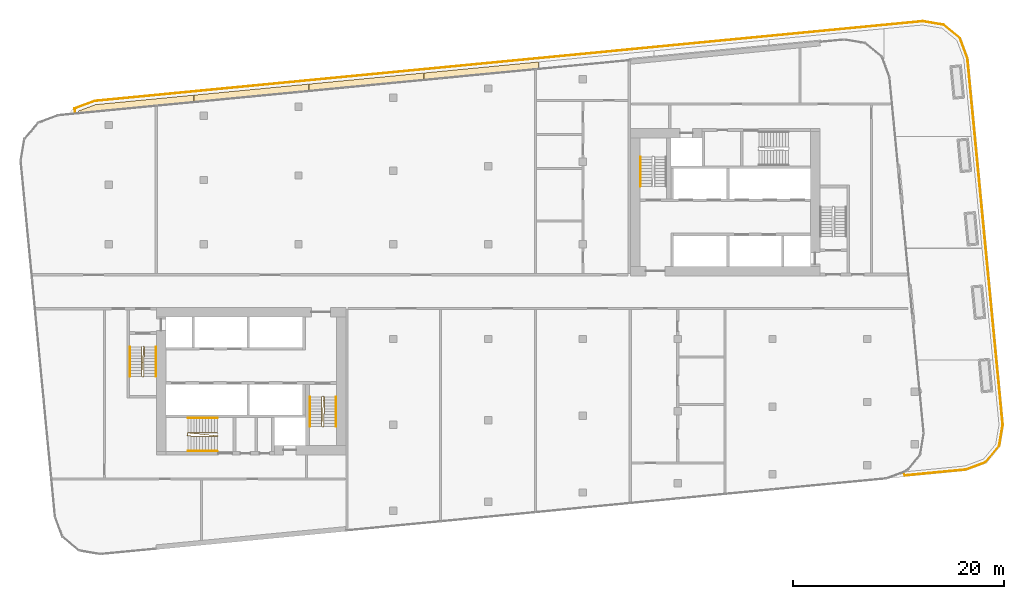
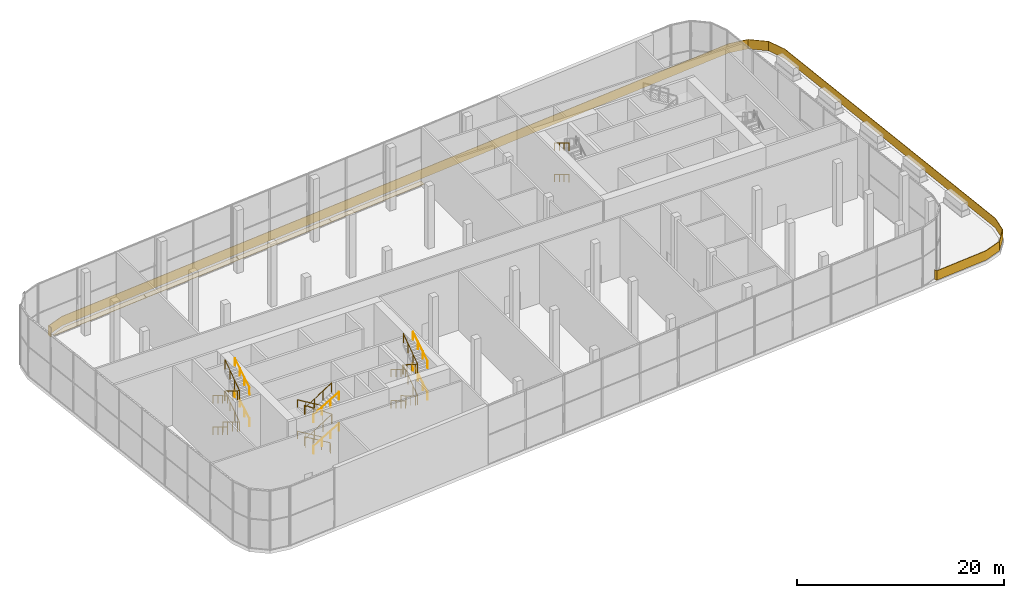
# One storey, part 23 of 25: 18 railings, 4 coverings.
"""IFC4 building model written with IfcOpenShell, lengths in metres."""

from ifc_helpers import new_model, si_unit, direction, frame, origin, origin_2d, place, context, subcontext, project, spatial, polyline, circle, outline, extrude, material, layer, layer_set, type_object, element, save


model = new_model("IFC4")

# Units and contexts
model_context = context("Model", 3, precision=1e-05, world=origin(), true_north=direction((0.0, 1.0)))
body_context = subcontext(model_context, "Body", "Model", "MODEL_VIEW")
ifc_project = project(units=[si_unit("LENGTHUNIT", "METRE"), si_unit("AREAUNIT", "SQUARE_METRE"), si_unit("VOLUMEUNIT", "CUBIC_METRE"), si_unit("PLANEANGLEUNIT", "RADIAN"), si_unit("MASSUNIT", "GRAM", prefix="KILO")], contexts=[model_context])

# Site, building, storey
site_placement = place(None, origin())
site = spatial("IfcSite", under=ifc_project, at=site_placement, CompositionType="ELEMENT")
building_placement = place(site_placement, origin())
building = spatial("IfcBuilding", under=site, at=building_placement, Name="Kajstack Hotel Tower", CompositionType="ELEMENT")
storey_placement = place(building_placement, frame((0.0, 0.0, 155.0)))
storey = spatial("IfcBuildingStorey", under=building, at=storey_placement, Name="L36", CompositionType="ELEMENT", Elevation=155.0)

# Railing
ifc_material_1 = material(Name="Steel S355J2", Category="steel")
railing_type_1 = type_object("IfcRailingType", Name="BALUSTRADE-TERRACE", PredefinedType="BALUSTRADE", material=ifc_material_1)
railing_1_placement = place(storey_placement, frame((-39.20556640625, 16.966552734375, 0.0)))
element("IfcRailing", 1, at=railing_1_placement, inside=storey, type_object=railing_type_1, Name="Terrace guard L36-01-01", PredefinedType="BALUSTRADE", context=body_context, shape_type="SweptSolid", body=[
    extrude(outline(polyline([(-0.072509765625, 0.4423828125), (1.84716796875, 1.16015625), (80.4599609375, 8.729736328125), (82.466552734375, 8.39404296875), (84.027099609375, 7.107666015625), (84.739501953125, 5.201904296875), (88.091796875, -29.613525390625), (87.756103515625, -31.620361328125), (86.4697265625, -33.180908203125), (84.56396484375, -33.893310546875), (78.743896484375, -34.45361328125), (78.64111328125, -34.17919921875), (78.697265625, -34.158203125), (78.783935546875, -34.3896484375), (84.55029296875, -33.834228515625), (86.43359375, -33.130126953125), (87.699462890625, -31.594482421875), (88.03125, -29.611572265625), (84.680419921875, 5.188232421875), (83.976318359375, 7.071533203125), (82.440673828125, 8.33740234375), (80.4580078125, 8.669189453125), (1.86083984375, 1.10107421875), (-0.008544921875, 0.40234375), (0.02978515625, 0.0029296875), (-0.02978515625, -0.0029296875), (-0.072509765625, 0.4423828125)])), origin(), (0.0, 0.0, 1.0), 1.10009765625),
])

# Coverings
ifc_material_2 = material(Name="Timber larch", Category="wood")
ifc_layer = layer(ifc_material_2, 0.050048828125)
ifc_layer_set = layer_set([ifc_layer], Name="DECK-LARCH")
covering_type = type_object("IfcCoveringType", Name="DECK-LARCH", PredefinedType="FLOORING", material=ifc_layer_set)
covering_1_placement = place(storey_placement, origin())
element("IfcCovering", 2, at=covering_1_placement, inside=storey, type_object=covering_type, Name="Larch decking L36-01-01", PredefinedType="FLOORING", context=body_context, shape_type="SweptSolid", body=[
    extrude(outline(polyline([(-27.960205078125, 18.04931640625), (-27.960205078125, 18.64990234375), (-37.272216796875, 17.753173828125), (-38.862060546875, 17.158935546875), (-38.862060546875, 17.05126953125), (-38.857177734375, 17.000244140625), (-27.960205078125, 18.04931640625)])), origin(), (0.0, 0.0, 1.0), 0.050048828125),
])
covering_2_placement = place(storey_placement, origin())
element("IfcCovering", 3, at=covering_2_placement, inside=storey, type_object=covering_type, Name="Larch decking L36-01-02", PredefinedType="FLOORING", context=body_context, shape_type="SweptSolid", body=[
    extrude(outline(polyline([(-17.038330078125, 19.10107421875), (-17.038330078125, 19.701416015625), (-27.940185546875, 18.65185546875), (-27.940185546875, 18.05126953125), (-17.038330078125, 19.10107421875)])), origin(), (0.0, 0.0, 1.0), 0.050048828125),
])
covering_3_placement = place(storey_placement, origin())
element("IfcCovering", 4, at=covering_3_placement, inside=storey, type_object=covering_type, Name="Larch decking L36-01-03", PredefinedType="FLOORING", context=body_context, shape_type="SweptSolid", body=[
    extrude(outline(polyline([(-6.1162109375, 20.15283203125), (-6.1162109375, 20.753173828125), (-17.018310546875, 19.703369140625), (-17.018310546875, 19.10302734375), (-6.1162109375, 20.15283203125)])), origin(), (0.0, 0.0, 1.0), 0.050048828125),
])
covering_4_placement = place(storey_placement, origin())
element("IfcCovering", 5, at=covering_4_placement, inside=storey, type_object=covering_type, Name="Larch decking L36-01-04", PredefinedType="FLOORING", context=body_context, shape_type="SweptSolid", body=[
    extrude(outline(polyline([(4.8056640625, 21.204345703125), (4.8056640625, 21.804931640625), (-6.096435546875, 20.755126953125), (-6.096435546875, 20.154541015625), (4.8056640625, 21.204345703125)])), origin(), (0.0, 0.0, 1.0), 0.050048828125),
])

# Railings
railing_type_2 = type_object("IfcRailingType", Name="Stair guard 1100", PredefinedType="GUARDRAIL", material=ifc_material_1)
railing_2_placement = place(storey_placement, frame((-32.85009765625, -5.199951171875, 0.0)))
element("IfcRailing", 6, at=railing_2_placement, inside=storey, type_object=railing_type_2, Name="L36 W1 stair guard 1", PredefinedType="GUARDRAIL", context=body_context, shape_type="SweptSolid", body=[
    extrude(circle(Radius=0.02392578125, at=origin_2d()), frame((0.0, 0.0, 1.076171875), z_axis=(-0.273006030465, -0.27434429532, 0.922064485248), x_axis=(0.708833529934, -0.705375805398, 0.0)), (0.0, 0.0, 1.0), 0.182373046875),
    extrude(circle(Radius=0.02392578125, at=origin_2d()), frame((-0.0498046875, -0.050048828125, 1.244140625), z_axis=(0.0, -0.857242210791, 0.514913383045), x_axis=(1.0, 0.0, 0.0)), (0.0, 0.0, 1.0), 3.266357421875),
    extrude(circle(Radius=0.02392578125, at=origin_2d()), frame((-0.0498046875, -2.85009765625, 2.92626953125), z_axis=(0.970072785993, -0.242814311512, 0.0), x_axis=(0.242814311512, 0.970072785993, 0.0)), (0.0, 0.0, 1.0), 0.2060546875),
    extrude(circle(Radius=0.02392578125, at=origin_2d()), frame((0.150146484375, -2.900146484375, 2.92626953125), z_axis=(0.014728196159, 0.838716887595, 0.544368498998), x_axis=(-0.999845851991, 0.017557683712, 0.0)), (0.0, 0.0, 1.0), 3.398193359375),
    extrude(circle(Radius=0.02392578125, at=origin_2d()), frame((0.2001953125, -0.050048828125, 4.77587890625), z_axis=(-0.707106781187, 0.707106781187, 0.0), x_axis=(-0.707106781187, -0.707106781187, 0.0)), (0.0, 0.0, 1.0), 0.07080078125),
    extrude(circle(Radius=0.02392578125, at=origin_2d()), frame((0.150146484375, 0.0, 4.77587890625), z_axis=(-0.058743402089, -0.837326588512, 0.543537852299), x_axis=(0.997548121837, -0.06998388828, 0.0)), (0.0, 0.0, 1.0), 3.40380859375),
    extrude(circle(Radius=0.02392578125, at=origin_2d()), frame((-0.0498046875, -2.85009765625, 6.6259765625), z_axis=(0.970072785993, -0.242814311512, 0.0), x_axis=(0.242814311512, 0.970072785993, 0.0)), (0.0, 0.0, 1.0), 0.2060546875),
    extrude(circle(Radius=0.02392578125, at=origin_2d()), frame((0.150146484375, -2.900146484375, 6.6259765625), z_axis=(0.014728196159, 0.838716887595, 0.544368498998), x_axis=(-0.999845851991, 0.017557683712, 0.0)), (0.0, 0.0, 1.0), 3.398193359375),
    extrude(circle(Radius=0.02099609375, at=origin_2d()), origin(), (0.0, 0.0, 1.0), 1.052001953125),
    extrude(circle(Radius=0.02099609375, at=origin_2d()), frame((-0.0498046875, -0.050048828125, 0.168212890625)), (0.0, 0.0, 1.0), 1.052001953125),
    extrude(circle(Radius=0.02099609375, at=origin_2d()), frame((-0.0498046875, -0.9833984375, 0.728759765625)), (0.0, 0.0, 1.0), 1.052001953125),
    extrude(circle(Radius=0.02099609375, at=origin_2d()), frame((-0.0498046875, -1.916748046875, 1.28955078125)), (0.0, 0.0, 1.0), 1.052001953125),
    extrude(circle(Radius=0.02099609375, at=origin_2d()), frame((-0.0498046875, -2.85009765625, 1.85009765625)), (0.0, 0.0, 1.0), 1.052001953125),
    extrude(circle(Radius=0.02099609375, at=origin_2d()), frame((0.150146484375, -2.900146484375, 1.85009765625)), (0.0, 0.0, 1.0), 1.052001953125),
    extrude(circle(Radius=0.02099609375, at=origin_2d()), frame((0.166748046875, -1.9501953125, 2.466796875)), (0.0, 0.0, 1.0), 1.052001953125),
    extrude(circle(Radius=0.02099609375, at=origin_2d()), frame((0.18359375, -1.0, 3.083251953125)), (0.0, 0.0, 1.0), 1.052001953125),
    extrude(circle(Radius=0.02099609375, at=origin_2d()), frame((0.2001953125, -0.050048828125, 3.699951171875)), (0.0, 0.0, 1.0), 1.052001953125),
    extrude(circle(Radius=0.02099609375, at=origin_2d()), frame((0.150146484375, 0.0, 3.699951171875)), (0.0, 0.0, 1.0), 1.052001953125),
    extrude(circle(Radius=0.02099609375, at=origin_2d()), frame((0.08349609375, -0.949951171875, 4.316650390625)), (0.0, 0.0, 1.0), 1.052001953125),
    extrude(circle(Radius=0.02099609375, at=origin_2d()), frame((0.016845703125, -1.900146484375, 4.933349609375)), (0.0, 0.0, 1.0), 1.052001953125),
    extrude(circle(Radius=0.02099609375, at=origin_2d()), frame((-0.0498046875, -2.85009765625, 5.550048828125)), (0.0, 0.0, 1.0), 1.052001953125),
    extrude(circle(Radius=0.02099609375, at=origin_2d()), frame((0.150146484375, -2.900146484375, 5.550048828125)), (0.0, 0.0, 1.0), 1.052001953125),
    extrude(circle(Radius=0.02099609375, at=origin_2d()), frame((0.166748046875, -1.9501953125, 6.166748046875)), (0.0, 0.0, 1.0), 1.052001953125),
    extrude(circle(Radius=0.02099609375, at=origin_2d()), frame((0.18359375, -1.0, 6.783203125)), (0.0, 0.0, 1.0), 1.052001953125),
    extrude(circle(Radius=0.02099609375, at=origin_2d()), frame((0.2001953125, -0.050048828125, 7.39990234375)), (0.0, 0.0, 1.0), 1.052001953125),
])
railing_3_placement = place(storey_placement, frame((-15.75, -9.949951171875, 0.0)))
element("IfcRailing", 7, at=railing_3_placement, inside=storey, type_object=railing_type_2, Name="L36 W2 stair guard 1", PredefinedType="GUARDRAIL", context=body_context, shape_type="SweptSolid", body=[
    extrude(circle(Radius=0.02392578125, at=origin_2d()), frame((0.0, 0.0, 1.076171875), z_axis=(-0.274243871929, -0.274243871929, 0.92172696468), x_axis=(0.707106781187, -0.707106781187, 0.0)), (0.0, 0.0, 1.0), 0.1826171875),
    extrude(circle(Radius=0.02392578125, at=origin_2d()), frame((-0.050048828125, -0.050048828125, 1.244140625), z_axis=(0.0, -0.857242210791, 0.514913383045), x_axis=(1.0, 0.0, 0.0)), (0.0, 0.0, 1.0), 3.266357421875),
    extrude(circle(Radius=0.02392578125, at=origin_2d()), frame((-0.050048828125, -2.85009765625, 2.92626953125), z_axis=(0.970072785993, -0.242814311512, 0.0), x_axis=(0.242814311512, 0.970072785993, 0.0)), (0.0, 0.0, 1.0), 0.2060546875),
    extrude(circle(Radius=0.02392578125, at=origin_2d()), frame((0.14990234375, -2.900146484375, 2.92626953125), z_axis=(0.014728196159, 0.838716887595, 0.544368498998), x_axis=(-0.999845851991, 0.017557683712, 0.0)), (0.0, 0.0, 1.0), 3.398193359375),
    extrude(circle(Radius=0.02392578125, at=origin_2d()), frame((0.199951171875, -0.050048828125, 4.77587890625), z_axis=(-0.707106781187, 0.707106781187, 0.0), x_axis=(-0.707106781187, -0.707106781187, 0.0)), (0.0, 0.0, 1.0), 0.07080078125),
    extrude(circle(Radius=0.02392578125, at=origin_2d()), frame((0.14990234375, 0.0, 4.77587890625), z_axis=(-0.058743402089, -0.837326588512, 0.543537852299), x_axis=(0.997548121837, -0.06998388828, 0.0)), (0.0, 0.0, 1.0), 3.40380859375),
    extrude(circle(Radius=0.02392578125, at=origin_2d()), frame((-0.050048828125, -2.85009765625, 6.6259765625), z_axis=(0.970072785993, -0.242814311512, 0.0), x_axis=(0.242814311512, 0.970072785993, 0.0)), (0.0, 0.0, 1.0), 0.2060546875),
    extrude(circle(Radius=0.02392578125, at=origin_2d()), frame((0.14990234375, -2.900146484375, 6.6259765625), z_axis=(0.014728196159, 0.838716887595, 0.544368498998), x_axis=(-0.999845851991, 0.017557683712, 0.0)), (0.0, 0.0, 1.0), 3.398193359375),
    extrude(circle(Radius=0.02099609375, at=origin_2d()), origin(), (0.0, 0.0, 1.0), 1.052001953125),
    extrude(circle(Radius=0.02099609375, at=origin_2d()), frame((-0.050048828125, -0.050048828125, 0.168212890625)), (0.0, 0.0, 1.0), 1.052001953125),
    extrude(circle(Radius=0.02099609375, at=origin_2d()), frame((-0.050048828125, -0.9833984375, 0.728759765625)), (0.0, 0.0, 1.0), 1.052001953125),
    extrude(circle(Radius=0.02099609375, at=origin_2d()), frame((-0.050048828125, -1.916748046875, 1.28955078125)), (0.0, 0.0, 1.0), 1.052001953125),
    extrude(circle(Radius=0.02099609375, at=origin_2d()), frame((-0.050048828125, -2.85009765625, 1.85009765625)), (0.0, 0.0, 1.0), 1.052001953125),
    extrude(circle(Radius=0.02099609375, at=origin_2d()), frame((0.14990234375, -2.900146484375, 1.85009765625)), (0.0, 0.0, 1.0), 1.052001953125),
    extrude(circle(Radius=0.02099609375, at=origin_2d()), frame((0.16650390625, -1.9501953125, 2.466796875)), (0.0, 0.0, 1.0), 1.052001953125),
    extrude(circle(Radius=0.02099609375, at=origin_2d()), frame((0.183349609375, -1.0, 3.083251953125)), (0.0, 0.0, 1.0), 1.052001953125),
    extrude(circle(Radius=0.02099609375, at=origin_2d()), frame((0.199951171875, -0.050048828125, 3.699951171875)), (0.0, 0.0, 1.0), 1.052001953125),
    extrude(circle(Radius=0.02099609375, at=origin_2d()), frame((0.14990234375, 0.0, 3.699951171875)), (0.0, 0.0, 1.0), 1.052001953125),
    extrude(circle(Radius=0.02099609375, at=origin_2d()), frame((0.083251953125, -0.949951171875, 4.316650390625)), (0.0, 0.0, 1.0), 1.052001953125),
    extrude(circle(Radius=0.02099609375, at=origin_2d()), frame((0.0166015625, -1.900146484375, 4.933349609375)), (0.0, 0.0, 1.0), 1.052001953125),
    extrude(circle(Radius=0.02099609375, at=origin_2d()), frame((-0.050048828125, -2.85009765625, 5.550048828125)), (0.0, 0.0, 1.0), 1.052001953125),
    extrude(circle(Radius=0.02099609375, at=origin_2d()), frame((0.14990234375, -2.900146484375, 5.550048828125)), (0.0, 0.0, 1.0), 1.052001953125),
    extrude(circle(Radius=0.02099609375, at=origin_2d()), frame((0.16650390625, -1.9501953125, 6.166748046875)), (0.0, 0.0, 1.0), 1.052001953125),
    extrude(circle(Radius=0.02099609375, at=origin_2d()), frame((0.183349609375, -1.0, 6.783203125)), (0.0, 0.0, 1.0), 1.052001953125),
    extrude(circle(Radius=0.02099609375, at=origin_2d()), frame((0.199951171875, -0.050048828125, 7.39990234375)), (0.0, 0.0, 1.0), 1.052001953125),
])
railing_4_placement = place(storey_placement, frame((-25.64990234375, -13.449951171875, 0.0)))
element("IfcRailing", 8, at=railing_4_placement, inside=storey, type_object=railing_type_2, Name="L36 W3 stair guard 1", PredefinedType="GUARDRAIL", context=body_context, shape_type="SweptSolid", body=[
    extrude(circle(Radius=0.02392578125, at=origin_2d()), frame((0.0, 0.0, 1.076171875), z_axis=(-0.274243871929, 0.274243871929, 0.92172696468), x_axis=(-0.707106781187, -0.707106781187, 0.0)), (0.0, 0.0, 1.0), 0.1826171875),
    extrude(circle(Radius=0.02392578125, at=origin_2d()), frame((-0.050048828125, 0.050048828125, 1.244140625), z_axis=(-0.857242210791, 0.0, 0.514913383045), x_axis=(0.0, -1.0, 0.0)), (0.0, 0.0, 1.0), 3.266357421875),
    extrude(circle(Radius=0.02392578125, at=origin_2d()), frame((-2.85009765625, 0.050048828125, 2.92626953125), z_axis=(-0.164529134168, -0.986372223864, 0.0), x_axis=(0.986372223864, -0.164529134168, 0.0)), (0.0, 0.0, 1.0), 0.30419921875),
    extrude(circle(Radius=0.02392578125, at=origin_2d()), frame((-2.900146484375, -0.25, 2.92626953125), z_axis=(0.838716887595, -0.014728196159, 0.544368498998), x_axis=(0.017557683712, 0.999845851991, 0.0)), (0.0, 0.0, 1.0), 3.398193359375),
    extrude(circle(Radius=0.02392578125, at=origin_2d()), frame((-0.050048828125, -0.300048828125, 4.77587890625), z_axis=(0.707106781187, 0.707106781187, 0.0), x_axis=(-0.707106781187, 0.707106781187, 0.0)), (0.0, 0.0, 1.0), 0.07080078125),
    extrude(circle(Radius=0.02392578125, at=origin_2d()), frame((0.0, -0.25, 4.77587890625), z_axis=(-0.835523882907, 0.08796118315, 0.542367653304), x_axis=(-0.104698088099, -0.994504052455, 0.0)), (0.0, 0.0, 1.0), 3.4111328125),
    extrude(circle(Radius=0.02392578125, at=origin_2d()), frame((-2.85009765625, 0.050048828125, 6.6259765625), z_axis=(-0.164529134168, -0.986372223864, 0.0), x_axis=(0.986372223864, -0.164529134168, 0.0)), (0.0, 0.0, 1.0), 0.30419921875),
    extrude(circle(Radius=0.02392578125, at=origin_2d()), frame((-2.900146484375, -0.25, 6.6259765625), z_axis=(0.838716887595, -0.014728196159, 0.544368498998), x_axis=(0.017557683712, 0.999845851991, 0.0)), (0.0, 0.0, 1.0), 3.398193359375),
    extrude(circle(Radius=0.02099609375, at=origin_2d()), origin(), (0.0, 0.0, 1.0), 1.052001953125),
    extrude(circle(Radius=0.02099609375, at=origin_2d()), frame((-0.050048828125, 0.050048828125, 0.168212890625)), (0.0, 0.0, 1.0), 1.052001953125),
    extrude(circle(Radius=0.02099609375, at=origin_2d()), frame((-0.9833984375, 0.050048828125, 0.728759765625)), (0.0, 0.0, 1.0), 1.052001953125),
    extrude(circle(Radius=0.02099609375, at=origin_2d()), frame((-1.916748046875, 0.050048828125, 1.28955078125)), (0.0, 0.0, 1.0), 1.052001953125),
    extrude(circle(Radius=0.02099609375, at=origin_2d()), frame((-2.85009765625, 0.050048828125, 1.85009765625)), (0.0, 0.0, 1.0), 1.052001953125),
    extrude(circle(Radius=0.02099609375, at=origin_2d()), frame((-2.900146484375, -0.25, 1.85009765625)), (0.0, 0.0, 1.0), 1.052001953125),
    extrude(circle(Radius=0.02099609375, at=origin_2d()), frame((-1.9501953125, -0.2666015625, 2.466796875)), (0.0, 0.0, 1.0), 1.052001953125),
    extrude(circle(Radius=0.02099609375, at=origin_2d()), frame((-1.0, -0.283447265625, 3.083251953125)), (0.0, 0.0, 1.0), 1.052001953125),
    extrude(circle(Radius=0.02099609375, at=origin_2d()), frame((-0.050048828125, -0.300048828125, 3.699951171875)), (0.0, 0.0, 1.0), 1.052001953125),
    extrude(circle(Radius=0.02099609375, at=origin_2d()), frame((0.0, -0.25, 3.699951171875)), (0.0, 0.0, 1.0), 1.052001953125),
    extrude(circle(Radius=0.02099609375, at=origin_2d()), frame((-0.949951171875, -0.14990234375, 4.316650390625)), (0.0, 0.0, 1.0), 1.052001953125),
    extrude(circle(Radius=0.02099609375, at=origin_2d()), frame((-1.900146484375, -0.050048828125, 4.933349609375)), (0.0, 0.0, 1.0), 1.052001953125),
    extrude(circle(Radius=0.02099609375, at=origin_2d()), frame((-2.85009765625, 0.050048828125, 5.550048828125)), (0.0, 0.0, 1.0), 1.052001953125),
    extrude(circle(Radius=0.02099609375, at=origin_2d()), frame((-2.900146484375, -0.25, 5.550048828125)), (0.0, 0.0, 1.0), 1.052001953125),
    extrude(circle(Radius=0.02099609375, at=origin_2d()), frame((-1.9501953125, -0.2666015625, 6.166748046875)), (0.0, 0.0, 1.0), 1.052001953125),
    extrude(circle(Radius=0.02099609375, at=origin_2d()), frame((-1.0, -0.283447265625, 6.783203125)), (0.0, 0.0, 1.0), 1.052001953125),
    extrude(circle(Radius=0.02099609375, at=origin_2d()), frame((-0.050048828125, -0.300048828125, 7.39990234375)), (0.0, 0.0, 1.0), 1.052001953125),
])
railing_type_3 = type_object("IfcRailingType", Name="Stair handrail 900", PredefinedType="HANDRAIL", material=ifc_material_1)
railing_5_placement = place(storey_placement, frame((-34.0, -5.25, 0.168212890625)))
element("IfcRailing", 9, at=railing_5_placement, inside=storey, type_object=railing_type_3, Name="L36 W1 stair handrail 1", PredefinedType="HANDRAIL", context=body_context, shape_type="SweptSolid", body=[
    extrude(circle(Radius=0.02392578125, at=origin_2d()), frame((0.0, 0.0, 0.8759765625), z_axis=(0.0, -0.857242210791, 0.514913383045), x_axis=(1.0, 0.0, 0.0)), (0.0, 0.0, 1.0), 3.266357421875),
    extrude(circle(Radius=0.02099609375, at=origin_2d()), origin(), (0.0, 0.0, 1.0), 0.851806640625),
    extrude(circle(Radius=0.02099609375, at=origin_2d()), frame((0.0, -0.933349609375, 0.560546875)), (0.0, 0.0, 1.0), 0.851806640625),
    extrude(circle(Radius=0.02099609375, at=origin_2d()), frame((0.0, -1.86669921875, 1.121337890625)), (0.0, 0.0, 1.0), 0.851806640625),
    extrude(circle(Radius=0.02099609375, at=origin_2d()), frame((0.0, -2.800048828125, 1.681884765625)), (0.0, 0.0, 1.0), 0.851806640625),
])
railing_6_placement = place(storey_placement, frame((-31.550048828125, -8.050048828125, 2.01806640625)))
element("IfcRailing", 10, at=railing_6_placement, inside=storey, type_object=railing_type_3, Name="L36 W1 stair handrail 2", PredefinedType="HANDRAIL", context=body_context, shape_type="SweptSolid", body=[
    extrude(circle(Radius=0.02392578125, at=origin_2d()), frame((0.0, 0.0, 0.8759765625), z_axis=(0.0, 0.857242210791, 0.514913383045), x_axis=(-1.0, 0.0, 0.0)), (0.0, 0.0, 1.0), 3.266357421875),
    extrude(circle(Radius=0.02099609375, at=origin_2d()), origin(), (0.0, 0.0, 1.0), 0.851806640625),
    extrude(circle(Radius=0.02099609375, at=origin_2d()), frame((0.0, 0.933349609375, 0.560546875)), (0.0, 0.0, 1.0), 0.851806640625),
    extrude(circle(Radius=0.02099609375, at=origin_2d()), frame((0.0, 1.86669921875, 1.121337890625)), (0.0, 0.0, 1.0), 0.851806640625),
    extrude(circle(Radius=0.02099609375, at=origin_2d()), frame((0.0, 2.800048828125, 1.681884765625)), (0.0, 0.0, 1.0), 0.851806640625),
])
railing_7_placement = place(storey_placement, frame((-34.0, -5.25, 3.8681640625)))
element("IfcRailing", 11, at=railing_7_placement, inside=storey, type_object=railing_type_3, Name="L36 W1 stair handrail 3", PredefinedType="HANDRAIL", context=body_context, shape_type="SweptSolid", body=[
    extrude(circle(Radius=0.02392578125, at=origin_2d()), frame((0.0, 0.0, 0.8759765625), z_axis=(0.0, -0.857242210791, 0.514913383045), x_axis=(1.0, 0.0, 0.0)), (0.0, 0.0, 1.0), 3.266357421875),
    extrude(circle(Radius=0.02099609375, at=origin_2d()), origin(), (0.0, 0.0, 1.0), 0.851806640625),
    extrude(circle(Radius=0.02099609375, at=origin_2d()), frame((0.0, -0.933349609375, 0.560546875)), (0.0, 0.0, 1.0), 0.851806640625),
    extrude(circle(Radius=0.02099609375, at=origin_2d()), frame((0.0, -1.86669921875, 1.121337890625)), (0.0, 0.0, 1.0), 0.851806640625),
    extrude(circle(Radius=0.02099609375, at=origin_2d()), frame((0.0, -2.800048828125, 1.681884765625)), (0.0, 0.0, 1.0), 0.851806640625),
])
railing_8_placement = place(storey_placement, frame((-31.550048828125, -8.050048828125, 5.71826171875)))
element("IfcRailing", 12, at=railing_8_placement, inside=storey, type_object=railing_type_3, Name="L36 W1 stair handrail 4", PredefinedType="HANDRAIL", context=body_context, shape_type="SweptSolid", body=[
    extrude(circle(Radius=0.02392578125, at=origin_2d()), frame((0.0, 0.0, 0.8759765625), z_axis=(0.0, 0.857275202839, 0.514858452973), x_axis=(-1.0, 0.0, 0.0)), (0.0, 0.0, 1.0), 3.26611328125),
    extrude(circle(Radius=0.02099609375, at=origin_2d()), origin(), (0.0, 0.0, 1.0), 0.851806640625),
    extrude(circle(Radius=0.02099609375, at=origin_2d()), frame((0.0, 0.933349609375, 0.560546875)), (0.0, 0.0, 1.0), 0.851806640625),
    extrude(circle(Radius=0.02099609375, at=origin_2d()), frame((0.0, 1.86669921875, 1.12109375)), (0.0, 0.0, 1.0), 0.851806640625),
    extrude(circle(Radius=0.02099609375, at=origin_2d()), frame((0.0, 2.800048828125, 1.681640625)), (0.0, 0.0, 1.0), 0.851806640625),
])
railing_9_placement = place(storey_placement, frame((-16.89990234375, -10.0, 0.168212890625)))
element("IfcRailing", 13, at=railing_9_placement, inside=storey, type_object=railing_type_3, Name="L36 W2 stair handrail 1", PredefinedType="HANDRAIL", context=body_context, shape_type="SweptSolid", body=[
    extrude(circle(Radius=0.02392578125, at=origin_2d()), frame((0.0, 0.0, 0.8759765625), z_axis=(0.0, -0.857242210791, 0.514913383045), x_axis=(1.0, 0.0, 0.0)), (0.0, 0.0, 1.0), 3.266357421875),
    extrude(circle(Radius=0.02099609375, at=origin_2d()), origin(), (0.0, 0.0, 1.0), 0.851806640625),
    extrude(circle(Radius=0.02099609375, at=origin_2d()), frame((0.0, -0.933349609375, 0.560546875)), (0.0, 0.0, 1.0), 0.851806640625),
    extrude(circle(Radius=0.02099609375, at=origin_2d()), frame((0.0, -1.86669921875, 1.121337890625)), (0.0, 0.0, 1.0), 0.851806640625),
    extrude(circle(Radius=0.02099609375, at=origin_2d()), frame((0.0, -2.800048828125, 1.681884765625)), (0.0, 0.0, 1.0), 0.851806640625),
])
railing_10_placement = place(storey_placement, frame((-14.449951171875, -12.800048828125, 2.01806640625)))
element("IfcRailing", 14, at=railing_10_placement, inside=storey, type_object=railing_type_3, Name="L36 W2 stair handrail 2", PredefinedType="HANDRAIL", context=body_context, shape_type="SweptSolid", body=[
    extrude(circle(Radius=0.02392578125, at=origin_2d()), frame((0.0, 0.0, 0.8759765625), z_axis=(0.0, 0.857242210791, 0.514913383045), x_axis=(-1.0, 0.0, 0.0)), (0.0, 0.0, 1.0), 3.266357421875),
    extrude(circle(Radius=0.02099609375, at=origin_2d()), origin(), (0.0, 0.0, 1.0), 0.851806640625),
    extrude(circle(Radius=0.02099609375, at=origin_2d()), frame((0.0, 0.933349609375, 0.560546875)), (0.0, 0.0, 1.0), 0.851806640625),
    extrude(circle(Radius=0.02099609375, at=origin_2d()), frame((0.0, 1.86669921875, 1.121337890625)), (0.0, 0.0, 1.0), 0.851806640625),
    extrude(circle(Radius=0.02099609375, at=origin_2d()), frame((0.0, 2.800048828125, 1.681884765625)), (0.0, 0.0, 1.0), 0.851806640625),
])
railing_11_placement = place(storey_placement, frame((-16.89990234375, -10.0, 3.8681640625)))
element("IfcRailing", 15, at=railing_11_placement, inside=storey, type_object=railing_type_3, Name="L36 W2 stair handrail 3", PredefinedType="HANDRAIL", context=body_context, shape_type="SweptSolid", body=[
    extrude(circle(Radius=0.02392578125, at=origin_2d()), frame((0.0, 0.0, 0.8759765625), z_axis=(0.0, -0.857242210791, 0.514913383045), x_axis=(1.0, 0.0, 0.0)), (0.0, 0.0, 1.0), 3.266357421875),
    extrude(circle(Radius=0.02099609375, at=origin_2d()), origin(), (0.0, 0.0, 1.0), 0.851806640625),
    extrude(circle(Radius=0.02099609375, at=origin_2d()), frame((0.0, -0.933349609375, 0.560546875)), (0.0, 0.0, 1.0), 0.851806640625),
    extrude(circle(Radius=0.02099609375, at=origin_2d()), frame((0.0, -1.86669921875, 1.121337890625)), (0.0, 0.0, 1.0), 0.851806640625),
    extrude(circle(Radius=0.02099609375, at=origin_2d()), frame((0.0, -2.800048828125, 1.681884765625)), (0.0, 0.0, 1.0), 0.851806640625),
])
railing_12_placement = place(storey_placement, frame((-14.449951171875, -12.800048828125, 5.71826171875)))
element("IfcRailing", 16, at=railing_12_placement, inside=storey, type_object=railing_type_3, Name="L36 W2 stair handrail 4", PredefinedType="HANDRAIL", context=body_context, shape_type="SweptSolid", body=[
    extrude(circle(Radius=0.02392578125, at=origin_2d()), frame((0.0, 0.0, 0.8759765625), z_axis=(0.0, 0.857275202839, 0.514858452973), x_axis=(-1.0, 0.0, 0.0)), (0.0, 0.0, 1.0), 3.26611328125),
    extrude(circle(Radius=0.02099609375, at=origin_2d()), origin(), (0.0, 0.0, 1.0), 0.851806640625),
    extrude(circle(Radius=0.02099609375, at=origin_2d()), frame((0.0, 0.933349609375, 0.560546875)), (0.0, 0.0, 1.0), 0.851806640625),
    extrude(circle(Radius=0.02099609375, at=origin_2d()), frame((0.0, 1.86669921875, 1.12109375)), (0.0, 0.0, 1.0), 0.851806640625),
    extrude(circle(Radius=0.02099609375, at=origin_2d()), frame((0.0, 2.800048828125, 1.681640625)), (0.0, 0.0, 1.0), 0.851806640625),
])
railing_13_placement = place(storey_placement, frame((-25.699951171875, -12.0, 0.168212890625)))
element("IfcRailing", 17, at=railing_13_placement, inside=storey, type_object=railing_type_3, Name="L36 W3 stair handrail 1", PredefinedType="HANDRAIL", context=body_context, shape_type="SweptSolid", body=[
    extrude(circle(Radius=0.02392578125, at=origin_2d()), frame((0.0, 0.0, 0.8759765625), z_axis=(-0.857242210791, 0.0, 0.514913383045), x_axis=(0.0, -1.0, 0.0)), (0.0, 0.0, 1.0), 3.266357421875),
    extrude(circle(Radius=0.02099609375, at=origin_2d()), origin(), (0.0, 0.0, 1.0), 0.851806640625),
    extrude(circle(Radius=0.02099609375, at=origin_2d()), frame((-0.933349609375, 0.0, 0.560546875)), (0.0, 0.0, 1.0), 0.851806640625),
    extrude(circle(Radius=0.02099609375, at=origin_2d()), frame((-1.86669921875, 0.0, 1.121337890625)), (0.0, 0.0, 1.0), 0.851806640625),
    extrude(circle(Radius=0.02099609375, at=origin_2d()), frame((-2.800048828125, 0.0, 1.681884765625)), (0.0, 0.0, 1.0), 0.851806640625),
])
railing_14_placement = place(storey_placement, frame((-28.5, -15.14990234375, 2.01806640625)))
element("IfcRailing", 18, at=railing_14_placement, inside=storey, type_object=railing_type_3, Name="L36 W3 stair handrail 2", PredefinedType="HANDRAIL", context=body_context, shape_type="SweptSolid", body=[
    extrude(circle(Radius=0.02392578125, at=origin_2d()), frame((0.0, 0.0, 0.8759765625), z_axis=(0.857242210791, 0.0, 0.514913383045), x_axis=(0.0, 1.0, 0.0)), (0.0, 0.0, 1.0), 3.266357421875),
    extrude(circle(Radius=0.02099609375, at=origin_2d()), origin(), (0.0, 0.0, 1.0), 0.851806640625),
    extrude(circle(Radius=0.02099609375, at=origin_2d()), frame((0.933349609375, 0.0, 0.560546875)), (0.0, 0.0, 1.0), 0.851806640625),
    extrude(circle(Radius=0.02099609375, at=origin_2d()), frame((1.86669921875, 0.0, 1.121337890625)), (0.0, 0.0, 1.0), 0.851806640625),
    extrude(circle(Radius=0.02099609375, at=origin_2d()), frame((2.800048828125, 0.0, 1.681884765625)), (0.0, 0.0, 1.0), 0.851806640625),
])
railing_15_placement = place(storey_placement, frame((-25.699951171875, -12.0, 3.8681640625)))
element("IfcRailing", 19, at=railing_15_placement, inside=storey, type_object=railing_type_3, Name="L36 W3 stair handrail 3", PredefinedType="HANDRAIL", context=body_context, shape_type="SweptSolid", body=[
    extrude(circle(Radius=0.02392578125, at=origin_2d()), frame((0.0, 0.0, 0.8759765625), z_axis=(-0.857242210791, 0.0, 0.514913383045), x_axis=(0.0, -1.0, 0.0)), (0.0, 0.0, 1.0), 3.266357421875),
    extrude(circle(Radius=0.02099609375, at=origin_2d()), origin(), (0.0, 0.0, 1.0), 0.851806640625),
    extrude(circle(Radius=0.02099609375, at=origin_2d()), frame((-0.933349609375, 0.0, 0.560546875)), (0.0, 0.0, 1.0), 0.851806640625),
    extrude(circle(Radius=0.02099609375, at=origin_2d()), frame((-1.86669921875, 0.0, 1.121337890625)), (0.0, 0.0, 1.0), 0.851806640625),
    extrude(circle(Radius=0.02099609375, at=origin_2d()), frame((-2.800048828125, 0.0, 1.681884765625)), (0.0, 0.0, 1.0), 0.851806640625),
])
railing_16_placement = place(storey_placement, frame((-28.5, -15.14990234375, 5.71826171875)))
element("IfcRailing", 20, at=railing_16_placement, inside=storey, type_object=railing_type_3, Name="L36 W3 stair handrail 4", PredefinedType="HANDRAIL", context=body_context, shape_type="SweptSolid", body=[
    extrude(circle(Radius=0.02392578125, at=origin_2d()), frame((0.0, 0.0, 0.8759765625), z_axis=(0.857275202839, 0.0, 0.514858452973), x_axis=(0.0, 1.0, 0.0)), (0.0, 0.0, 1.0), 3.26611328125),
    extrude(circle(Radius=0.02099609375, at=origin_2d()), origin(), (0.0, 0.0, 1.0), 0.851806640625),
    extrude(circle(Radius=0.02099609375, at=origin_2d()), frame((0.933349609375, 0.0, 0.560546875)), (0.0, 0.0, 1.0), 0.851806640625),
    extrude(circle(Radius=0.02099609375, at=origin_2d()), frame((1.86669921875, 0.0, 1.12109375)), (0.0, 0.0, 1.0), 0.851806640625),
    extrude(circle(Radius=0.02099609375, at=origin_2d()), frame((2.800048828125, 0.0, 1.681640625)), (0.0, 0.0, 1.0), 0.851806640625),
])
railing_17_placement = place(storey_placement, frame((14.449951171875, 12.800048828125, 2.01806640625)))
element("IfcRailing", 21, at=railing_17_placement, inside=storey, type_object=railing_type_3, Name="L36 E2 stair handrail 2", PredefinedType="HANDRAIL", context=body_context, shape_type="SweptSolid", body=[
    extrude(circle(Radius=0.02392578125, at=origin_2d()), frame((0.0, 0.0, 0.8759765625), z_axis=(0.0, -0.857242210791, 0.514913383045), x_axis=(1.0, 0.0, 0.0)), (0.0, 0.0, 1.0), 3.266357421875),
    extrude(circle(Radius=0.02099609375, at=origin_2d()), origin(), (0.0, 0.0, 1.0), 0.851806640625),
    extrude(circle(Radius=0.02099609375, at=origin_2d()), frame((0.0, -0.933349609375, 0.560546875)), (0.0, 0.0, 1.0), 0.851806640625),
    extrude(circle(Radius=0.02099609375, at=origin_2d()), frame((0.0, -1.86669921875, 1.121337890625)), (0.0, 0.0, 1.0), 0.851806640625),
    extrude(circle(Radius=0.02099609375, at=origin_2d()), frame((0.0, -2.800048828125, 1.681884765625)), (0.0, 0.0, 1.0), 0.851806640625),
])
railing_18_placement = place(storey_placement, frame((14.449951171875, 12.800048828125, 5.71826171875)))
element("IfcRailing", 22, at=railing_18_placement, inside=storey, type_object=railing_type_3, Name="L36 E2 stair handrail 4", PredefinedType="HANDRAIL", context=body_context, shape_type="SweptSolid", body=[
    extrude(circle(Radius=0.02392578125, at=origin_2d()), frame((0.0, 0.0, 0.8759765625), z_axis=(0.0, -0.857275202839, 0.514858452973), x_axis=(1.0, 0.0, 0.0)), (0.0, 0.0, 1.0), 3.26611328125),
    extrude(circle(Radius=0.02099609375, at=origin_2d()), origin(), (0.0, 0.0, 1.0), 0.851806640625),
    extrude(circle(Radius=0.02099609375, at=origin_2d()), frame((0.0, -0.933349609375, 0.560546875)), (0.0, 0.0, 1.0), 0.851806640625),
    extrude(circle(Radius=0.02099609375, at=origin_2d()), frame((0.0, -1.86669921875, 1.12109375)), (0.0, 0.0, 1.0), 0.851806640625),
    extrude(circle(Radius=0.02099609375, at=origin_2d()), frame((0.0, -2.800048828125, 1.681640625)), (0.0, 0.0, 1.0), 0.851806640625),
])

save(model, "model.ifc")
